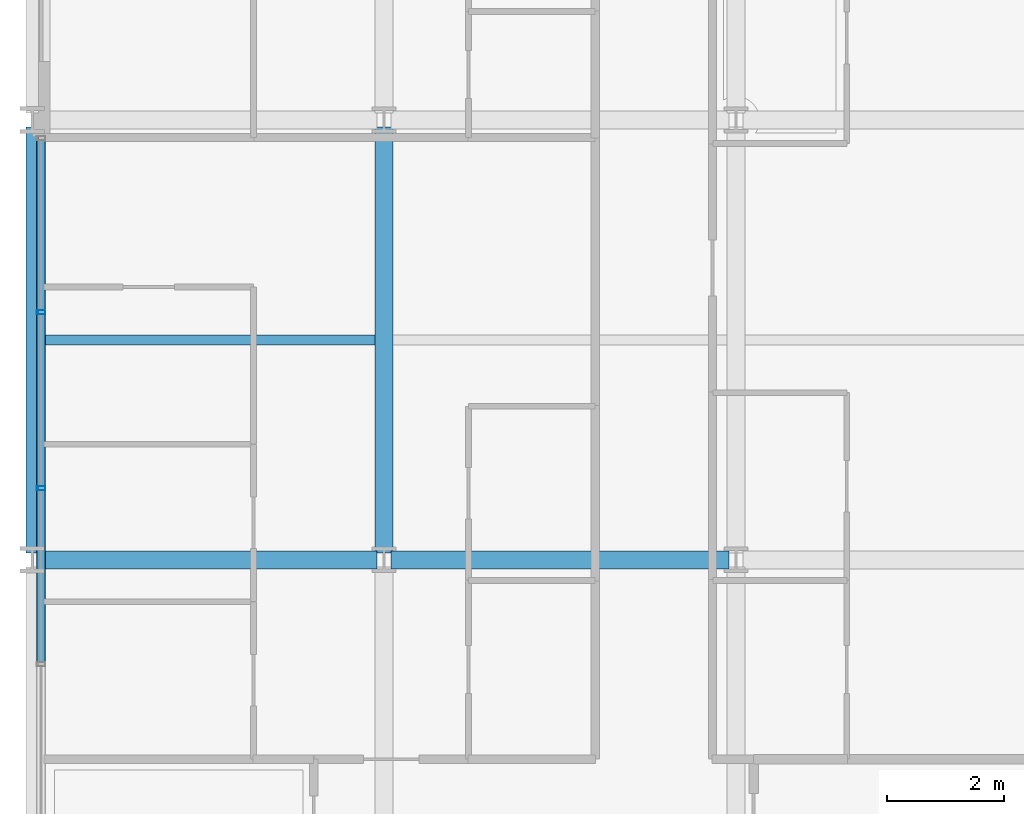
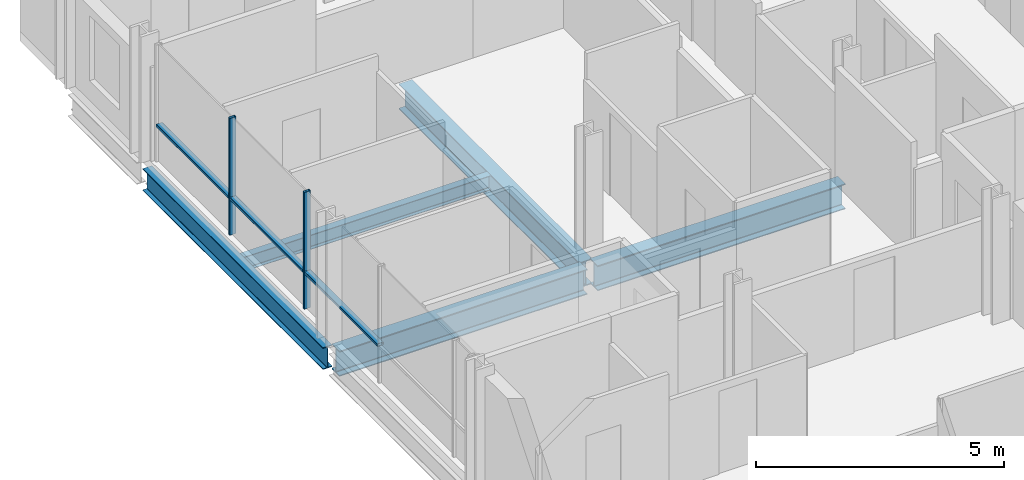
# One storey, part 5 of 41: 5 beams, 5 members, 1 element without a shape of its own.
"""IFC4 building model written with IfcOpenShell, lengths in metres."""

from ifc_helpers import new_model, si_unit, direction, frame, origin, origin_2d, place, context, subcontext, project, spatial, hollow_rectangle, i_section, extrude, material, layer, layer_set, material_profile, profile_set, type_object, element, aggregate, save


model = new_model("IFC4")

# Units and contexts
model_context = context("Model", 3, precision=1e-05, world=origin(), true_north=direction((0.0, 1.0)))
body_context = subcontext(model_context, "Body", "Model", "MODEL_VIEW")
ifc_project = project(units=[si_unit("LENGTHUNIT", "METRE"), si_unit("AREAUNIT", "SQUARE_METRE"), si_unit("VOLUMEUNIT", "CUBIC_METRE"), si_unit("PLANEANGLEUNIT", "RADIAN"), si_unit("MASSUNIT", "GRAM", prefix="KILO")], contexts=[model_context])

# Site, building, storey
site_placement = place(None, origin())
site = spatial("IfcSite", under=ifc_project, at=site_placement, CompositionType="ELEMENT")
building_placement = place(site_placement, origin())
building = spatial("IfcBuilding", under=site, at=building_placement, Name="Brevholm Reach", CompositionType="ELEMENT")
storey_placement = place(building_placement, frame((0.0, 0.0, 68.300048828125)))
storey = spatial("IfcBuildingStorey", under=building, at=storey_placement, Name="L19", CompositionType="ELEMENT", Elevation=68.300048828125)

# Beams
ifc_material_1 = material(Name="Structural Steel S355J2", Category="steel")
ifc_material_profile_1 = material_profile(ifc_material_1, i_section(OverallWidth=0.17138671875, OverallDepth=0.35498046875, WebThickness=0.00732421875, FlangeThickness=0.011474609375, FilletRadius=0.01025390625, at=origin_2d()), Name="UKB 356x171x51")
ifc_profile_set_1 = profile_set([ifc_material_profile_1], Name="Structural Steel S355J2")
beam_type_1 = type_object("IfcBeamType", Name="BM-B356", PredefinedType="BEAM", material=ifc_profile_set_1)
beam_1_placement = place(storey_placement, frame((0.10546875, 19.75, -0.407470703125), z_axis=(1.0, 0.0, 0.0), x_axis=(0.0, 1.0, 0.0)))
element("IfcBeam", 1, at=beam_1_placement, inside=storey, type_object=beam_type_1, Name="L19 Composite Secondary Floor Beam", PredefinedType="BEAM", context=body_context, shape_type="SweptSolid", body=[
    extrude(i_section(OverallWidth=0.17138671875, OverallDepth=0.35498046875, WebThickness=0.00732421875, FlangeThickness=0.011474609375, FilletRadius=0.01025390625, at=origin_2d()), origin(), (0.0, 0.0, 1.0), 5.740966796875),
])
ifc_material_2 = material(Name="Structural Steel S355J2", Category="steel")
ifc_material_profile_2 = material_profile(ifc_material_2, i_section(OverallWidth=0.210693359375, OverallDepth=0.53955078125, WebThickness=0.01171875, FlangeThickness=0.018798828125, FilletRadius=0.0126953125, at=origin_2d()), Name="UKB 533x210x109")
ifc_profile_set_2 = profile_set([ifc_material_profile_2], Name="Structural Steel S355J2")
beam_type_2 = type_object("IfcBeamType", Name="BM-SP539", PredefinedType="SPANDREL", material=ifc_profile_set_2)
beam_2_placement = place(storey_placement, frame((0.0, 16.1201171875, -0.499755859375), z_axis=(0.0, 1.0, 0.0), x_axis=(-1.0, 0.0, 0.0)))
element("IfcBeam", 2, at=beam_2_placement, inside=storey, type_object=beam_type_2, Name="L19 SP-01B Framing Beam", PredefinedType="SPANDREL", context=body_context, shape_type="SweptSolid", body=[
    extrude(i_section(OverallWidth=0.210693359375, OverallDepth=0.53955078125, WebThickness=0.01171875, FlangeThickness=0.018798828125, FilletRadius=0.0126953125, at=origin_2d()), origin(), (0.0, 0.0, 1.0), 7.259765625),
])
ifc_material_3 = material(Name="Structural Steel S355J2", Category="steel")
ifc_material_profile_3 = material_profile(ifc_material_3, i_section(OverallWidth=0.30712890625, OverallDepth=0.6201171875, WebThickness=0.01416015625, FlangeThickness=0.023681640625, FilletRadius=0.0166015625, at=origin_2d()), Name="UKB 610x305x179")
ifc_profile_set_3 = profile_set([ifc_material_profile_3], Name="Structural Steel S355J2")
beam_type_3 = type_object("IfcBeamType", Name="BM-UKB610H", PredefinedType="USERDEFINED", material=ifc_profile_set_3)
for number, where, z_axis, x_axis, name in (
    (3, (0.1201171875, 16.0, -0.5400390625), (1.0, 0.0, 0.0), (0.0, 1.0, 0.0), "L19 G-06 Framing Beam"),
    (4, (6.1201171875, 16.0, -0.5400390625), (1.0, 0.0, 0.0), (0.0, 1.0, 0.0), "L19 G-06 Framing Beam"),
):
    element("IfcBeam", number, at=place(storey_placement, frame(where, z_axis=z_axis, x_axis=x_axis)), inside=storey, type_object=beam_type_3, Name=name, ObjectType="GIRDER", PredefinedType="USERDEFINED", context=body_context, shape_type="SweptSolid", body=[
        extrude(i_section(OverallWidth=0.30712890625, OverallDepth=0.6201171875, WebThickness=0.01416015625, FlangeThickness=0.023681640625, FilletRadius=0.0166015625, at=origin_2d()), origin(), (0.0, 0.0, 1.0), 5.759765625),
    ])
beam_3_placement = place(storey_placement, frame((6.0, 16.1201171875, -0.5400390625), z_axis=(0.0, 1.0, 0.0), x_axis=(-1.0, 0.0, 0.0)))
element("IfcBeam", 5, at=beam_3_placement, inside=storey, type_object=beam_type_3, Name="L19 G-06 Framing Beam", ObjectType="GIRDER", PredefinedType="USERDEFINED", context=body_context, shape_type="SweptSolid", body=[
    extrude(i_section(OverallWidth=0.30712890625, OverallDepth=0.6201171875, WebThickness=0.01416015625, FlangeThickness=0.023681640625, FilletRadius=0.0166015625, at=origin_2d()), origin(), (0.0, 0.0, 1.0), 7.259765625),
])

# Curtain wall, members
ifc_material_4 = material(Name="Dark Anodised Aluminium 6063-T6 and Solar-Control Glass", Category="aluminium")
ifc_layer = layer(ifc_material_4, 0.14990234375)
ifc_layer_set = layer_set([ifc_layer], Name="Dark Anodised Aluminium 6063-T6 and Solar-Control Glass")
curtain_wall_type = type_object("IfcCurtainWallType", Name="CW-01", PredefinedType="NOTDEFINED", material=ifc_layer_set)
curtain_wall_placement = place(storey_placement, origin())
curtain_wall = element("IfcCurtainWall", 6, at=curtain_wall_placement, inside=storey, type_object=curtain_wall_type, Name="L19 Curtain Wall CW-01", PredefinedType="NOTDEFINED")
ifc_material_5 = material(Name="Dark Anodised Aluminium 6063-T6", Category="aluminium")
ifc_material_profile_4 = material_profile(ifc_material_5, hollow_rectangle(XDim=0.06494140625, YDim=0.14990234375, WallThickness=0.0048828125, InnerFilletRadius=0.0048828125, OuterFilletRadius=0.010009765625, at=origin_2d()), Name="RHS 150x65x5")
ifc_profile_set_4 = profile_set([ifc_material_profile_4], Name="Dark Anodised Aluminium 6063-T6")
member_type_1 = type_object("IfcMemberType", Name="CWM-150", PredefinedType="MULLION", material=ifc_profile_set_4)
member_1_placement = place(storey_placement, frame((0.14990234375, 20.219970703125, 0.0), z_axis=(0.0, 0.0, 1.0), x_axis=(0.0, -1.0, 0.0)))
member_1 = element("IfcMember", 7, at=member_1_placement, type_object=member_type_1, Name="CM-150 Mullion 2", PredefinedType="MULLION", context=body_context, shape_type="SweptSolid", body=[
    extrude(hollow_rectangle(XDim=0.06494140625, YDim=0.14990234375, WallThickness=0.0048828125, InnerFilletRadius=0.0048828125, OuterFilletRadius=0.010009765625, at=origin_2d()), origin(), (0.0, 0.0, 1.0), 2.869873046875),
])
member_2_placement = place(storey_placement, frame((0.14990234375, 17.219970703125, 0.0), z_axis=(0.0, 0.0, 1.0), x_axis=(0.0, -1.0, 0.0)))
member_2 = element("IfcMember", 8, at=member_2_placement, type_object=member_type_1, Name="CM-150 Mullion 3", PredefinedType="MULLION", context=body_context, shape_type="SweptSolid", body=[
    extrude(hollow_rectangle(XDim=0.06494140625, YDim=0.14990234375, WallThickness=0.0048828125, InnerFilletRadius=0.0048828125, OuterFilletRadius=0.010009765625, at=origin_2d()), origin(), (0.0, 0.0, 1.0), 2.869873046875),
])
ifc_material_6 = material(Name="Dark Anodised Aluminium 6063-T6", Category="aluminium")
ifc_material_profile_5 = material_profile(ifc_material_6, hollow_rectangle(XDim=0.06494140625, YDim=0.14990234375, WallThickness=0.0048828125, InnerFilletRadius=0.0048828125, OuterFilletRadius=0.010009765625, at=origin_2d()), Name="RHS 150x65x5")
ifc_profile_set_5 = profile_set([ifc_material_profile_5], Name="Dark Anodised Aluminium 6063-T6")
member_type_2 = type_object("IfcMemberType", Name="CWT-150", PredefinedType="NOTDEFINED", material=ifc_profile_set_5)
member_3_placement = place(storey_placement, frame((0.14990234375, 23.155029296875, 0.89990234375), z_axis=(0.0, -1.0, 0.0), x_axis=(0.0, 0.0, 1.0)))
member_3 = element("IfcMember", 9, at=member_3_placement, type_object=member_type_2, Name="CT-150 Transom 1.1", ObjectType="TRANSOM", PredefinedType="USERDEFINED", context=body_context, shape_type="SweptSolid", body=[
    extrude(hollow_rectangle(XDim=0.06494140625, YDim=0.14990234375, WallThickness=0.0048828125, InnerFilletRadius=0.0048828125, OuterFilletRadius=0.010009765625, at=origin_2d()), origin(), (0.0, 0.0, 1.0), 2.902587890625),
])
member_4_placement = place(storey_placement, frame((0.14990234375, 20.1875, 0.89990234375), z_axis=(0.0, -1.0, 0.0), x_axis=(0.0, 0.0, 1.0)))
member_4 = element("IfcMember", 10, at=member_4_placement, type_object=member_type_2, Name="CT-150 Transom 2.1", ObjectType="TRANSOM", PredefinedType="USERDEFINED", context=body_context, shape_type="SweptSolid", body=[
    extrude(hollow_rectangle(XDim=0.06494140625, YDim=0.14990234375, WallThickness=0.0048828125, InnerFilletRadius=0.0048828125, OuterFilletRadius=0.010009765625, at=origin_2d()), origin(), (0.0, 0.0, 1.0), 2.93505859375),
])
member_5_placement = place(storey_placement, frame((0.14990234375, 17.1875, 0.89990234375), z_axis=(0.0, -1.0, 0.0), x_axis=(0.0, 0.0, 1.0)))
member_5 = element("IfcMember", 11, at=member_5_placement, type_object=member_type_2, Name="CT-150 Transom 3.1", ObjectType="TRANSOM", PredefinedType="USERDEFINED", context=body_context, shape_type="SweptSolid", body=[
    extrude(hollow_rectangle(XDim=0.06494140625, YDim=0.14990234375, WallThickness=0.0048828125, InnerFilletRadius=0.0048828125, OuterFilletRadius=0.010009765625, at=origin_2d()), origin(), (0.0, 0.0, 1.0), 2.93505859375),
])
aggregate(curtain_wall, [member_1, member_2, member_3, member_4, member_5])

save(model, "model.ifc")
